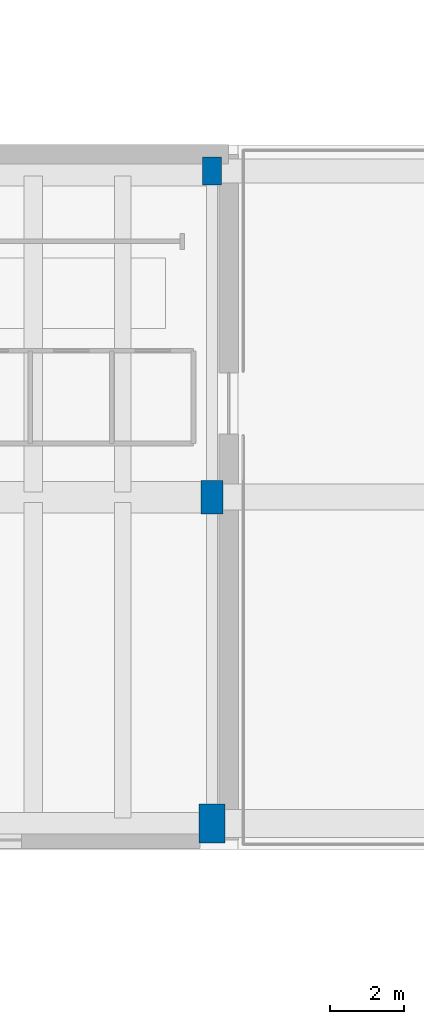
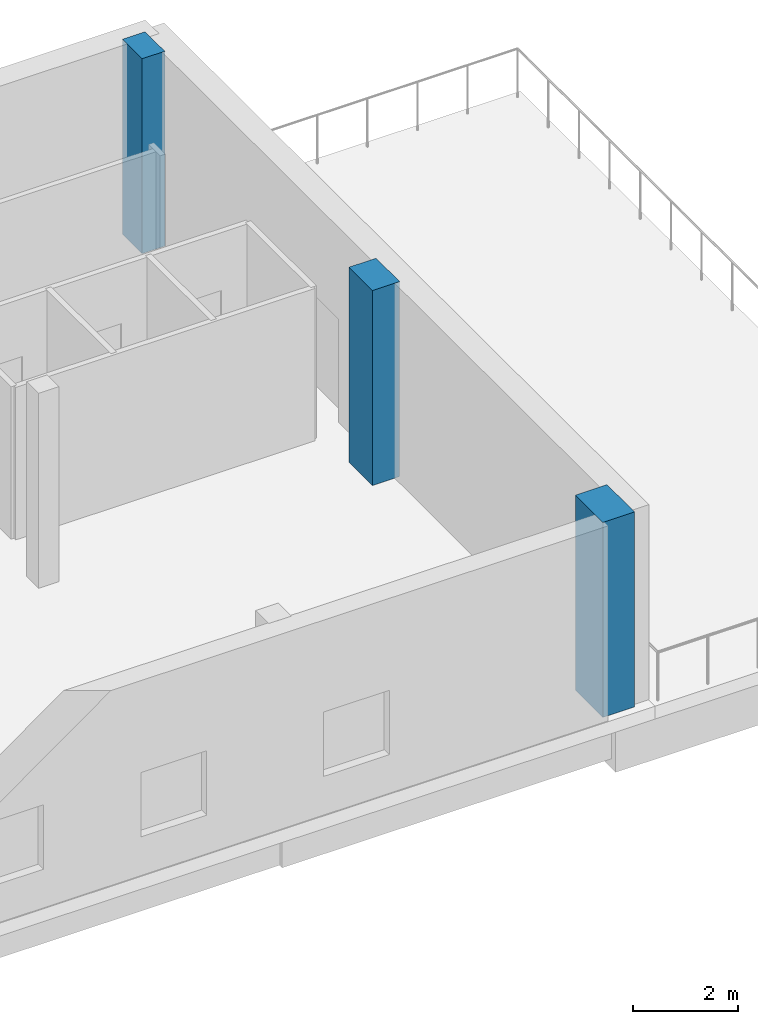
# One storey, part 5 of 49: 3 columns.
"""IFC4 building model written with IfcOpenShell, lengths in metres."""

from ifc_helpers import new_model, si_unit, direction, frame, origin, origin_2d, place, context, subcontext, project, spatial, rectangle, extrude, material, material_profile, profile_set, type_object, element, save


model = new_model("IFC4")

# Units and contexts
model_context = context("Model", 3, precision=1e-05, world=origin(), true_north=direction((0.0, 1.0)))
body_context = subcontext(model_context, "Body", "Model", "MODEL_VIEW")
ifc_project = project(units=[si_unit("LENGTHUNIT", "METRE"), si_unit("AREAUNIT", "SQUARE_METRE"), si_unit("VOLUMEUNIT", "CUBIC_METRE"), si_unit("PLANEANGLEUNIT", "RADIAN"), si_unit("MASSUNIT", "GRAM", prefix="KILO")], contexts=[model_context])

# Site, building, storey
site_placement = place(None, origin())
site = spatial("IfcSite", under=ifc_project, at=site_placement, CompositionType="ELEMENT")
building_placement = place(site_placement, origin())
building = spatial("IfcBuilding", under=site, at=building_placement, Name="Soyqirgoq Riverine Aquarium", CompositionType="ELEMENT")
storey_placement = place(building_placement, frame((0.0, 0.0, 15.0)))
storey = spatial("IfcBuildingStorey", under=building, at=storey_placement, Name="L04", CompositionType="ELEMENT", Elevation=15.0)

# Columns
ifc_material_1 = material(Name="Concrete C40/50", Category="concrete")
ifc_material_profile_1 = material_profile(ifc_material_1, rectangle(XDim=0.5, YDim=0.75, at=origin_2d()), Name="RC-COL 500x750")
ifc_profile_set_1 = profile_set([ifc_material_profile_1], Name="Concrete C40/50")
column_type_1 = type_object("IfcColumnType", Name="Col_RC_500x750", PredefinedType="COLUMN", material=ifc_profile_set_1)
column_1_placement = place(storey_placement, frame((145.300048828125, 74.300048828125, 0.0), z_axis=(0.0, 0.0, 1.0), x_axis=(1.0, 0.0, 0.0)))
element("IfcColumn", 1, at=column_1_placement, inside=storey, type_object=column_type_1, Name="V7 Column V7-C-26 L04", PredefinedType="COLUMN", context=body_context, shape_type="SweptSolid", body=[
    extrude(rectangle(XDim=0.5, YDim=0.75, at=origin_2d()), origin(), (0.0, 0.0, 1.0), 4.5400390625),
])
ifc_material_2 = material(Name="Concrete C40/50", Category="concrete")
ifc_material_profile_2 = material_profile(ifc_material_2, rectangle(XDim=0.60009765625, YDim=0.89990234375, at=origin_2d()), Name="RC-COL 600x900")
ifc_profile_set_2 = profile_set([ifc_material_profile_2], Name="Concrete C40/50")
column_type_2 = type_object("IfcColumnType", Name="Col_RC_600x900", PredefinedType="COLUMN", material=ifc_profile_set_2)
column_2_placement = place(storey_placement, frame((145.300048828125, 65.5, 0.0), z_axis=(0.0, 0.0, 1.0), x_axis=(1.0, 0.0, 0.0)))
element("IfcColumn", 2, at=column_2_placement, inside=storey, type_object=column_type_2, Name="V7 Column V7-C-25 L04", PredefinedType="COLUMN", context=body_context, shape_type="SweptSolid", body=[
    extrude(rectangle(XDim=0.60009765625, YDim=0.89990234375, at=origin_2d()), origin(), (0.0, 0.0, 1.0), 4.5400390625),
])
ifc_material_3 = material(Name="Concrete C40/50", Category="concrete")
ifc_material_profile_3 = material_profile(ifc_material_3, rectangle(XDim=0.699951171875, YDim=1.050048828125, at=origin_2d()), Name="RC-COL 700x1050")
ifc_profile_set_3 = profile_set([ifc_material_profile_3], Name="Concrete C40/50")
column_type_3 = type_object("IfcColumnType", Name="Col_RC_700x1050", PredefinedType="COLUMN", material=ifc_profile_set_3)
column_3_placement = place(storey_placement, frame((145.300048828125, 56.699951171875, 0.0), z_axis=(0.0, 0.0, 1.0), x_axis=(1.0, 0.0, 0.0)))
element("IfcColumn", 3, at=column_3_placement, inside=storey, type_object=column_type_3, Name="V7 Column V7-C-24 L04", PredefinedType="COLUMN", context=body_context, shape_type="SweptSolid", body=[
    extrude(rectangle(XDim=0.699951171875, YDim=1.050048828125, at=origin_2d()), origin(), (0.0, 0.0, 1.0), 4.5400390625),
])

save(model, "model.ifc")
